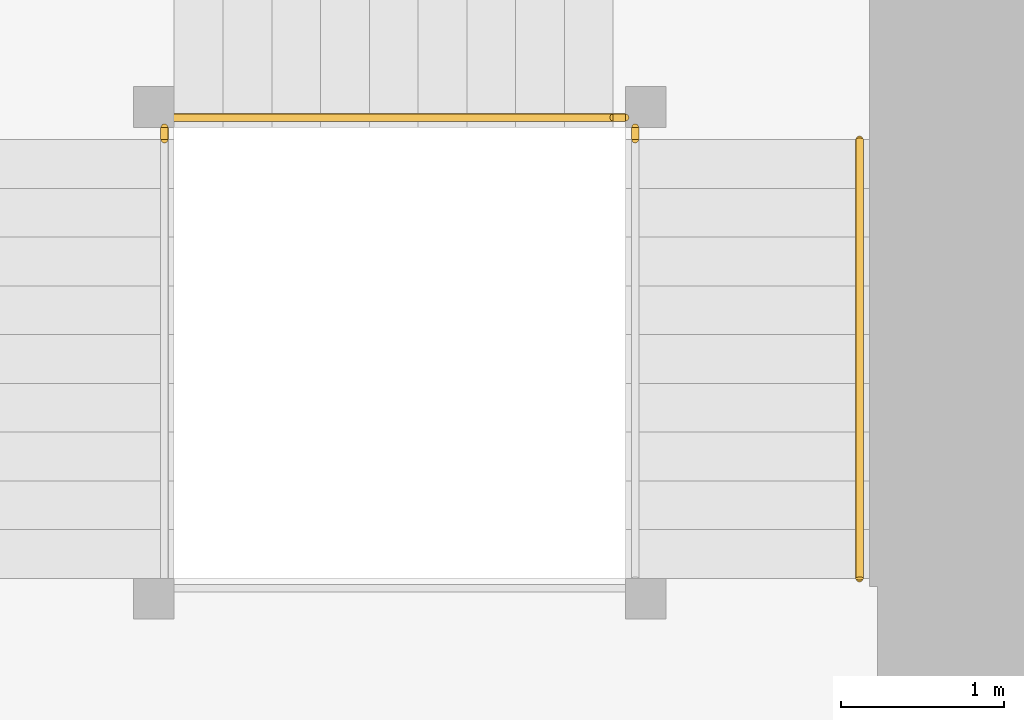
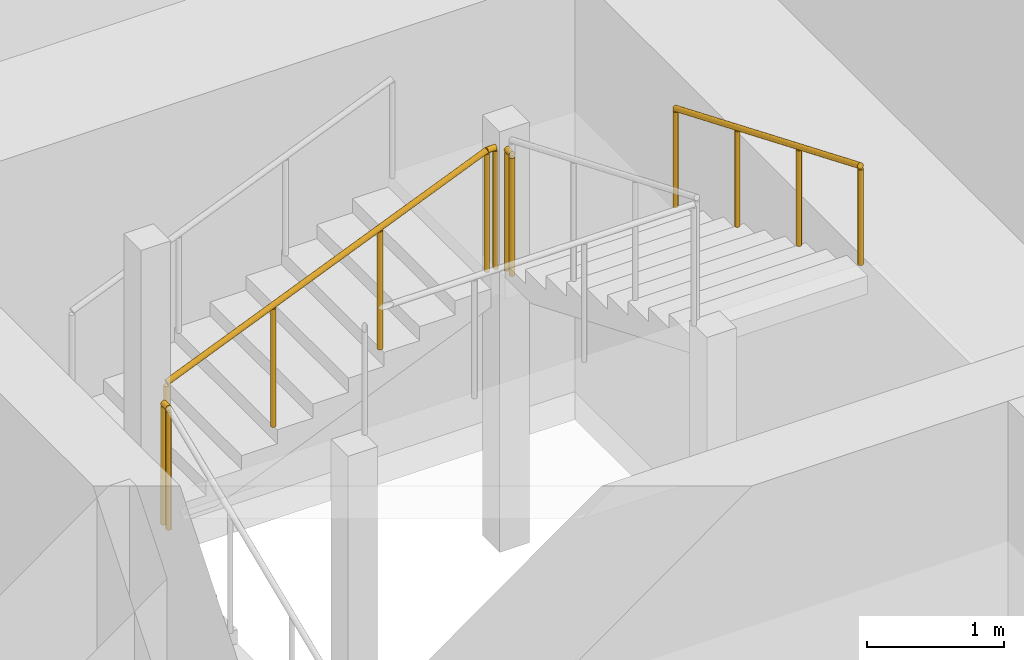
# One storey, part 43 of 44: 5 railings.
"""IFC4 building model written with IfcOpenShell, lengths in metres."""

import ifcopenshell
import ifcopenshell.guid

model = None  # the IFC model being written
_history = None  # IfcOwnerHistory: only IFC2X3 demands one
_inside = {}  # id of a spatial element -> (the spatial element, [elements in it])
_under = {}  # id of a project, library or spatial element -> (it, [spatial elements below it])
_declared = {}  # id of a project -> (the project, [libraries it declares])
_typed = {}  # id of a type object -> (the type object, [elements of that type])
_made_of = {}  # id of a material, layer set ... -> (it, [elements and type objects made of it])


def new_model(schema):
    """Start an empty IFC model of exactly this schema.

    Asked for "IFC4X3", IfcOpenShell would pick the latest addendum, in which some entities
    have other attributes; the version numbers below select the first issue.
    IFC2X3 requires an IfcOwnerHistory on every rooted entity: one is made here for all.
    """
    global model, _history
    if schema == "IFC4X3":
        model = ifcopenshell.file(schema_version=(4, 3, 0, 0))
    else:
        model = ifcopenshell.file(schema=schema)
    _inside.clear()
    _under.clear()
    _declared.clear()
    _typed.clear()
    _made_of.clear()
    _history = None
    if model.schema == "IFC2X3":
        org = make("IfcOrganization", Name="unknown")
        user = make(
            "IfcPersonAndOrganization",
            ThePerson=make("IfcPerson", FamilyName="unknown"),
            TheOrganization=org,
        )
        app = make(
            "IfcApplication",
            ApplicationDeveloper=org,
            Version="unknown",
            ApplicationFullName="unknown",
            ApplicationIdentifier="unknown",
        )
        _history = make(
            "IfcOwnerHistory",
            OwningUser=user,
            OwningApplication=app,
            ChangeAction="ADDED",
            CreationDate=0,
        )
    return model


def make(cls, **values):
    """One entity of the class cls with the attributes given. An attribute that is None is left unset."""
    return model.create_entity(
        cls, **{name: value for name, value in values.items() if value is not None}
    )


def rooted(cls, **values):
    """An entity with a GlobalId (a new one), such as an element, a storey or a relation."""
    return make(cls, GlobalId=ifcopenshell.guid.new(), OwnerHistory=_history, **values)


def si_unit(unit_type, name, prefix=None):
    """IfcSIUnit, for example si_unit("LENGTHUNIT", "METRE", prefix="MILLI")."""
    return make("IfcSIUnit", UnitType=unit_type, Prefix=prefix, Name=name)


def assignment(units):
    """IfcUnitAssignment: the units of a project."""
    return None if units is None else make("IfcUnitAssignment", Units=units)


def point(xyz):
    """IfcCartesianPoint."""
    return None if xyz is None else make("IfcCartesianPoint", Coordinates=xyz)


def direction(xyz):
    """IfcDirection."""
    return None if xyz is None else make("IfcDirection", DirectionRatios=xyz)


def frame(location, z_axis=None, x_axis=None):
    """IfcAxis2Placement3D, a coordinate frame: its origin and axes. An axis left out is left unset."""
    return make(
        "IfcAxis2Placement3D",
        Location=point(location),
        Axis=direction(z_axis),
        RefDirection=direction(x_axis),
    )


def frame_2d(location, x_axis=None):
    """IfcAxis2Placement2D, a coordinate frame in the plane: its origin and x axis."""
    return make(
        "IfcAxis2Placement2D", Location=point(location), RefDirection=direction(x_axis)
    )


def origin():
    """The frame at (0, 0, 0) with its axes left unset."""
    return frame((0.0, 0.0, 0.0))


def origin_2d():
    """The frame at (0, 0) in the plane with its x axis left unset."""
    return frame_2d((0.0, 0.0))


def place(relative_to, where):
    """IfcLocalPlacement: puts the frame where relative to a parent placement (None: the world)."""
    return make(
        "IfcLocalPlacement", PlacementRelTo=relative_to, RelativePlacement=where
    )


def context(
    kind, dimensions, precision=None, world=None, true_north=None, identifier=None
):
    """IfcGeometricRepresentationContext, for example the 3D "Model" context."""
    return make(
        "IfcGeometricRepresentationContext",
        ContextIdentifier=identifier,
        ContextType=kind,
        CoordinateSpaceDimension=dimensions,
        Precision=precision,
        WorldCoordinateSystem=world,
        TrueNorth=true_north,
    )


def subcontext(parent, identifier, kind, view, scale=None):
    """IfcGeometricRepresentationSubContext, for example "Body" below "Model"."""
    return make(
        "IfcGeometricRepresentationSubContext",
        ContextIdentifier=identifier,
        ContextType=kind,
        ParentContext=parent,
        TargetScale=scale,
        TargetView=view,
    )


def project(units=None, contexts=None):
    """IfcProject with its units and contexts."""
    return rooted(
        "IfcProject",
        Name="project",
        RepresentationContexts=contexts,
        UnitsInContext=assignment(units),
    )


def spatial(cls, under=None, at=None, **own):
    """A site, building, storey or space (cls), placed at a placement, below another one or the project."""
    s = rooted(cls, ObjectPlacement=at, **own)
    if under is not None:
        _under.setdefault(under.id(), (under, []))[1].append(s)
    return s


def profile(cls, at=None, kind="AREA", **sizes):
    """A parametric profile (cls). Its sizes go by their IFC names, for example OverallWidth=200.0."""
    return make(cls, ProfileType=kind, Position=at, **sizes)


def circle(**sizes):
    """IfcCircleProfileDef."""
    return profile("IfcCircleProfileDef", **sizes)


def extrude(swept, where, along, depth):
    """IfcExtrudedAreaSolid: the profile swept, set in the frame where, extruded along a direction by depth."""
    return make(
        "IfcExtrudedAreaSolid",
        SweptArea=swept,
        Position=where,
        ExtrudedDirection=direction(along),
        Depth=depth,
    )


def shape(context_of_items, identifier, shape_type, items):
    """IfcShapeRepresentation: the items that make up one representation, for example the "Body"."""
    return make(
        "IfcShapeRepresentation",
        ContextOfItems=context_of_items,
        RepresentationIdentifier=identifier,
        RepresentationType=shape_type,
        Items=items,
    )


def material(Name=None, Category=None):
    """IfcMaterial."""
    return make("IfcMaterial", Name=Name, Category=Category)


def made_of(thing, what):
    """Note that an element or type object is made of a material, layer set ...; save() writes the relation."""
    if what is not None:
        _made_of.setdefault(what.id(), (what, []))[1].append(thing)
    return thing


def type_object(cls, material=None, **own):
    """A type object (cls), such as IfcWallType, which elements share."""
    return made_of(rooted(cls, **own), material)


def element(
    cls,
    number,
    at=None,
    inside=None,
    cuts=None,
    type_object=None,
    material=None,
    context=None,
    identifier="Body",
    shape_type=None,
    held_by="IfcProductDefinitionShape",
    body=None,
    shapes=None,
    **own,
):
    """One element of the class cls, such as IfcWall. Its Tag is "e" and its number.

    at: its placement. inside: the storey or other place that contains it. cuts: it is an
    opening in that element (IfcRelVoidsElement). A single representation is given by context,
    identifier, shape_type and body (its items); several are given by shapes. held_by: the class
    of the entity that holds the representations. save() writes the other relations.
    """
    e = rooted(cls, Tag="e%d" % number, ObjectPlacement=at, **own)
    if body is not None:
        shapes = [shape(context, identifier, shape_type, body)]
    if shapes is not None:
        e.Representation = make(held_by, Representations=shapes)
    if inside is not None:
        _inside.setdefault(inside.id(), (inside, []))[1].append(e)
    if cuts is not None:
        rooted(
            "IfcRelVoidsElement", RelatingBuildingElement=cuts, RelatedOpeningElement=e
        )
    if type_object is not None:
        _typed.setdefault(type_object.id(), (type_object, []))[1].append(e)
    return made_of(e, material)


def aggregate(whole, parts):
    """IfcRelAggregates: a whole, such as a stair, and the parts it consists of."""
    return rooted("IfcRelAggregates", RelatingObject=whole, RelatedObjects=parts)


def save(model, path):
    """Write the relations noted so far, then the file.

    IfcRelAggregates (storeys below a building ...), IfcRelContainedInSpatialStructure (elements
    in a storey), IfcRelDefinesByType, IfcRelAssociatesMaterial and IfcRelDeclares: one each for
    every whole, place, type object, material and project.
    """
    for whole, parts in _under.values():
        aggregate(whole, parts)
    for where, things in _inside.values():
        rooted(
            "IfcRelContainedInSpatialStructure",
            RelatedElements=things,
            RelatingStructure=where,
        )
    for kind, things in _typed.values():
        rooted("IfcRelDefinesByType", RelatedObjects=things, RelatingType=kind)
    for what, things in _made_of.values():
        rooted("IfcRelAssociatesMaterial", RelatedObjects=things, RelatingMaterial=what)
    for by, libraries in _declared.values():
        rooted("IfcRelDeclares", RelatingContext=by, RelatedDefinitions=libraries)
    model.write(path)


model = new_model("IFC4")

# Units and contexts
model_context = context("Model", 3, precision=1e-05, world=origin(), true_north=direction((0.0, 1.0)))
body_context = subcontext(model_context, "Body", "Model", "MODEL_VIEW")
ifc_project = project(units=[si_unit("LENGTHUNIT", "METRE"), si_unit("AREAUNIT", "SQUARE_METRE"), si_unit("VOLUMEUNIT", "CUBIC_METRE"), si_unit("PLANEANGLEUNIT", "RADIAN"), si_unit("MASSUNIT", "GRAM", prefix="KILO")], contexts=[model_context])

# Site, building, storey
site_placement = place(None, origin())
site = spatial("IfcSite", under=ifc_project, at=site_placement, CompositionType="ELEMENT")
building_placement = place(site_placement, origin())
building = spatial("IfcBuilding", under=site, at=building_placement, Name="Rekha Terrace Tower", CompositionType="ELEMENT")
storey_placement = place(building_placement, frame((0.0, 0.0, 81.64990234375)))
storey = spatial("IfcBuildingStorey", under=building, at=storey_placement, Name="L20", CompositionType="ELEMENT", Elevation=81.64990234375)

# Railings
ifc_material_1 = material(Name="Stainless steel balustrade", Category="steel")
railing_type_1 = type_object("IfcRailingType", Name="GR1 1100 stair guard", PredefinedType="GUARDRAIL", material=ifc_material_1)
railing_1_placement = place(storey_placement, frame((45.574951171875, 44.2099609375, 1.375)))
element("IfcRailing", 1, at=railing_1_placement, inside=storey, type_object=railing_type_1, Name="Guard ST2 L20 flight 2", PredefinedType="GUARDRAIL", context=body_context, shape_type="SweptSolid", body=[
    extrude(circle(Radius=0.02392578125, at=origin_2d()), frame((0.0, 0.0, 1.076171875), z_axis=(0.923074453586, 0.0, 0.384621311341), x_axis=(0.0, 1.0, 0.0)), (0.0, 0.0, 1.0), 2.925048828125),
    extrude(circle(Radius=0.02099609375, at=origin_2d()), origin(), (0.0, 0.0, 1.0), 1.052001953125),
    extrude(circle(Radius=0.02099609375, at=origin_2d()), frame((0.89990234375, 0.0, 0.375)), (0.0, 0.0, 1.0), 1.052001953125),
    extrude(circle(Radius=0.02099609375, at=origin_2d()), frame((1.800048828125, 0.0, 0.75)), (0.0, 0.0, 1.0), 1.052001953125),
    extrude(circle(Radius=0.02099609375, at=origin_2d()), frame((2.699951171875, 0.0, 1.125)), (0.0, 0.0, 1.0), 1.052001953125),
])
railing_2_placement = place(storey_placement, frame((45.514892578125, 44.074951171875, 1.25)))
element("IfcRailing", 2, at=railing_2_placement, inside=storey, type_object=railing_type_1, Name="Guard ST2 L20 landing 1", PredefinedType="GUARDRAIL", context=body_context, shape_type="SweptSolid", body=[
    extrude(circle(Radius=0.02392578125, at=origin_2d()), frame((0.0, 0.0, 1.076171875), z_axis=(0.0, 1.0, 0.0), x_axis=(-1.0, 0.0, 0.0)), (0.0, 0.0, 1.0), 0.074951171875),
    extrude(circle(Radius=0.02099609375, at=origin_2d()), origin(), (0.0, 0.0, 1.0), 1.052001953125),
    extrude(circle(Radius=0.02099609375, at=origin_2d()), frame((0.0, 0.074951171875, 0.0)), (0.0, 0.0, 1.0), 1.052001953125),
])
railing_3_placement = place(storey_placement, frame((48.27490234375, 44.2099609375, 2.5)))
element("IfcRailing", 3, at=railing_3_placement, inside=storey, type_object=railing_type_1, Name="Guard ST2 L20 landing 2", PredefinedType="GUARDRAIL", context=body_context, shape_type="SweptSolid", body=[
    extrude(circle(Radius=0.02392578125, at=origin_2d()), frame((0.0, 0.0, 1.076171875), z_axis=(1.0, 0.0, 0.0), x_axis=(0.0, 1.0, 0.0)), (0.0, 0.0, 1.0), 0.0751953125),
    extrude(circle(Radius=0.02099609375, at=origin_2d()), origin(), (0.0, 0.0, 1.0), 1.052001953125),
    extrude(circle(Radius=0.02099609375, at=origin_2d()), frame((0.0751953125, 0.0, 0.0)), (0.0, 0.0, 1.0), 1.052001953125),
])
railing_4_placement = place(storey_placement, frame((48.409912109375, 44.074951171875, 2.5)))
element("IfcRailing", 4, at=railing_4_placement, inside=storey, type_object=railing_type_1, Name="Guard ST2 L20 landing 3", PredefinedType="GUARDRAIL", context=body_context, shape_type="SweptSolid", body=[
    extrude(circle(Radius=0.02392578125, at=origin_2d()), frame((0.0, 0.0, 1.076171875), z_axis=(0.0, 1.0, 0.0), x_axis=(-1.0, 0.0, 0.0)), (0.0, 0.0, 1.0), 0.074951171875),
    extrude(circle(Radius=0.02099609375, at=origin_2d()), origin(), (0.0, 0.0, 1.0), 1.052001953125),
    extrude(circle(Radius=0.02099609375, at=origin_2d()), frame((0.0, 0.074951171875, 0.0)), (0.0, 0.0, 1.0), 1.052001953125),
])
ifc_material_2 = material(Name="Stainless steel tube", Category="steel")
railing_type_2 = type_object("IfcRailingType", Name="HR1 900 stair handrail", PredefinedType="HANDRAIL", material=ifc_material_2)
railing_5_placement = place(storey_placement, frame((49.7900390625, 44.074951171875, 2.625)))
element("IfcRailing", 5, at=railing_5_placement, inside=storey, type_object=railing_type_2, Name="Handrail ST2 L20 flight 3", PredefinedType="HANDRAIL", context=body_context, shape_type="SweptSolid", body=[
    extrude(circle(Radius=0.02392578125, at=origin_2d()), frame((0.0, 0.0, 0.8759765625), z_axis=(0.0, -0.923074453586, 0.384621311341), x_axis=(1.0, 0.0, 0.0)), (0.0, 0.0, 1.0), 2.925048828125),
    extrude(circle(Radius=0.02099609375, at=origin_2d()), origin(), (0.0, 0.0, 1.0), 0.851806640625),
    extrude(circle(Radius=0.02099609375, at=origin_2d()), frame((0.0, -0.89990234375, 0.375)), (0.0, 0.0, 1.0), 0.851806640625),
    extrude(circle(Radius=0.02099609375, at=origin_2d()), frame((0.0, -1.800048828125, 0.75)), (0.0, 0.0, 1.0), 0.851806640625),
    extrude(circle(Radius=0.02099609375, at=origin_2d()), frame((0.0, -2.699951171875, 1.125)), (0.0, 0.0, 1.0), 0.851806640625),
])

save(model, "model.ifc")
